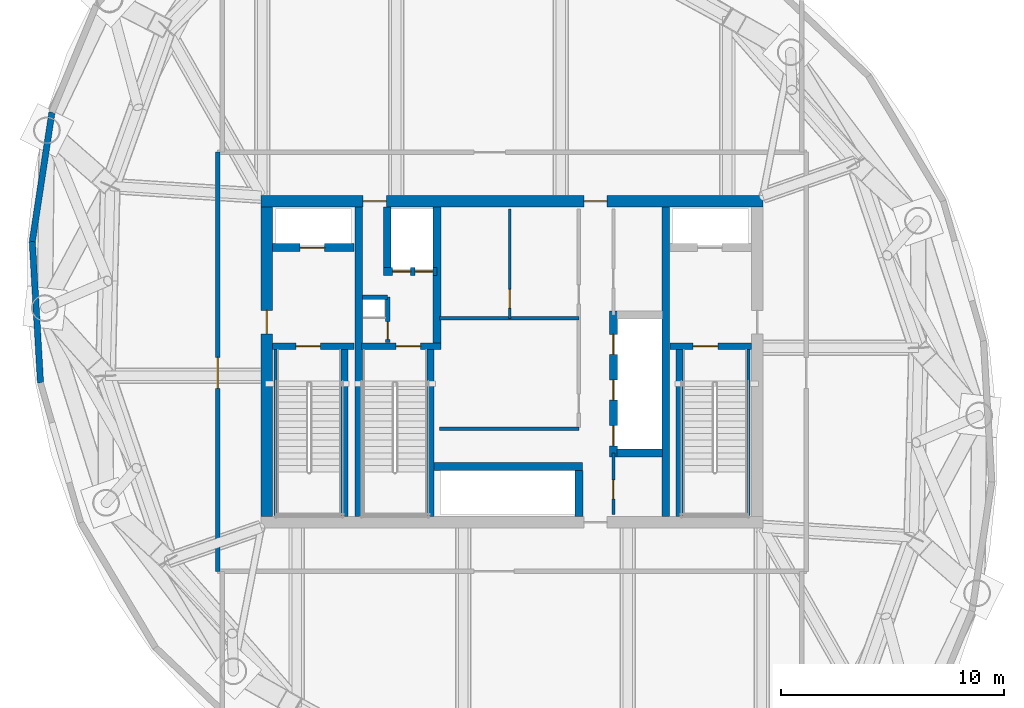
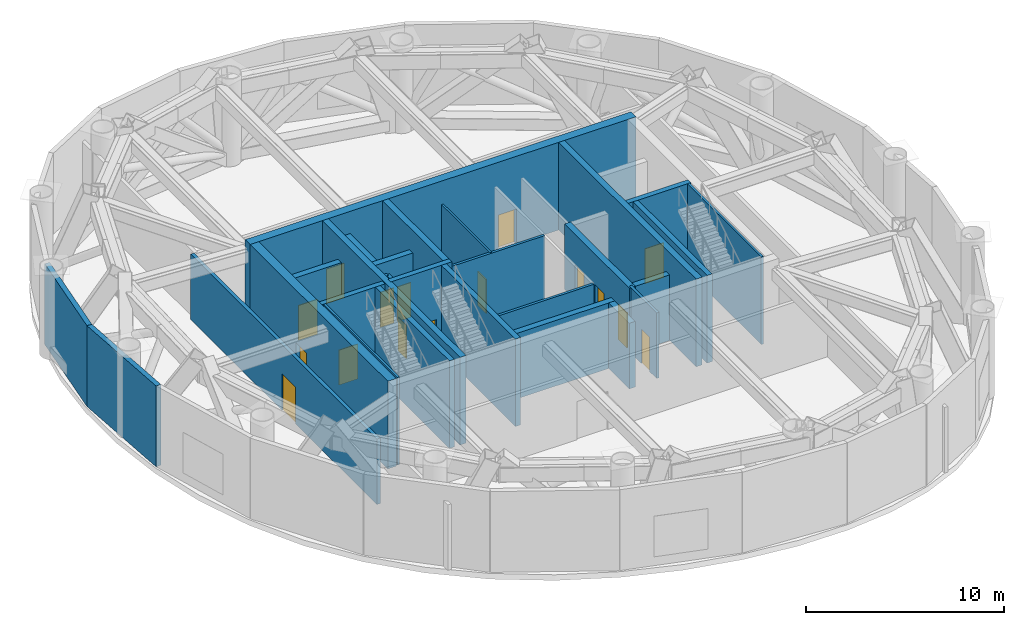
# One storey, part 5 of 9: 29 walls, 16 doors, 16 openings.
"""IFC4 building model written with IfcOpenShell, lengths in metres."""

from ifc_helpers import new_model, si_unit, direction, frame, frame_2d, origin, place, context, subcontext, project, spatial, rectangle, extrude, material, layer, layer_set, type_object, element, fill, save


model = new_model("IFC4")

# Units and contexts
model_context = context("Model", 3, precision=1e-05, world=origin(), true_north=direction((0.0, 1.0)))
body_context = subcontext(model_context, "Body", "Model", "MODEL_VIEW")
ifc_project = project(units=[si_unit("LENGTHUNIT", "METRE"), si_unit("AREAUNIT", "SQUARE_METRE"), si_unit("VOLUMEUNIT", "CUBIC_METRE"), si_unit("PLANEANGLEUNIT", "RADIAN"), si_unit("MASSUNIT", "GRAM", prefix="KILO")], contexts=[model_context])

# Site, building, storey
site_placement = place(None, origin())
site = spatial("IfcSite", under=ifc_project, at=site_placement, CompositionType="ELEMENT")
building_placement = place(site_placement, origin())
building = spatial("IfcBuilding", under=site, at=building_placement, Name="Bramvorn Convention Spire", CompositionType="ELEMENT")
storey_placement = place(building_placement, frame((0.0, 0.0, 236.64990234375)))
storey = spatial("IfcBuildingStorey", under=building, at=storey_placement, Name="L60", CompositionType="ELEMENT", Elevation=236.64990234375)

# Wall, openings, doors
ifc_material_1 = material(Name="Concrete C50/60", Category="concrete")
ifc_layer_1 = layer(ifc_material_1, 0.5)
ifc_layer_set_1 = layer_set([ifc_layer_1], Name="Concrete C50/60 - WL-CORE-500")
wall_type_1 = type_object("IfcWallType", Name="WL-CORE-500", PredefinedType="SHEAR", material=ifc_layer_set_1)
wall_1_placement = place(storey_placement, frame((26.75, 33.199951171875, 0.0), z_axis=(0.0, 0.0, 1.0), x_axis=(1.0, 0.0, 0.0)))
wall_1 = element("IfcWall", 1, at=wall_1_placement, inside=storey, type_object=wall_type_1, Name="L60 North RC core shear wall", PredefinedType="SHEAR", context=body_context, shape_type="SweptSolid", body=[
    extrude(rectangle(XDim=22.5, YDim=0.5, at=frame_2d((11.25, 0.0))), origin(), (0.0, 0.0, 1.0), 5.400146484375),
])
opening_1_placement = place(wall_1_placement, frame((4.570068359375, 0.0, 0.0)))
opening_1 = element("IfcOpeningElement", 2, at=opening_1_placement, cuts=wall_1, Name="Opening DL-105", PredefinedType="OPENING", context=body_context, shape_type="SweptSolid", body=[
    extrude(rectangle(XDim=1.050048828125, YDim=2.14990234375, at=frame_2d((0.52490234375, 1.074951171875))), frame((0.0, 0.260009765625, 0.0), z_axis=(0.0, -1.0, 0.0), x_axis=(1.0, 0.0, 0.0)), (0.0, 0.0, 1.0), 0.52001953125),
])
opening_2_placement = place(wall_1_placement, frame((14.469970703125, 0.0, 0.0)))
opening_2 = element("IfcOpeningElement", 3, at=opening_2_placement, cuts=wall_1, Name="Opening DL-105", PredefinedType="OPENING", context=body_context, shape_type="SweptSolid", body=[
    extrude(rectangle(XDim=1.050048828125, YDim=2.14990234375, at=frame_2d((0.52490234375, 1.074951171875))), frame((0.0, 0.260009765625, 0.0), z_axis=(0.0, -1.0, 0.0), x_axis=(1.0, 0.0, 0.0)), (0.0, 0.0, 1.0), 0.52001953125),
])
ifc_material_2 = material(Name="Smoke-Sealed Fire Lobby Timber-Core Door", Category="wood")
door_type_1 = type_object("IfcDoorType", Name="DR-LOBBY-1050", OperationType="NOTDEFINED", PredefinedType="DOOR", material=ifc_material_2)
door_1_placement = place(opening_1_placement, origin())
door_1 = element("IfcDoor", 4, at=door_1_placement, inside=storey, type_object=door_type_1, Name="L60 Service & Stair ST3 Lobby north corridor door", OperationType="SINGLE_SWING_LEFT", OverallHeight=2.14990234375, OverallWidth=1.050048828125, PredefinedType="DOOR", context=body_context, shape_type="SweptSolid", body=[
    extrude(rectangle(XDim=1.050048828125, YDim=2.14990234375, at=frame_2d((0.52490234375, 1.074951171875))), frame((0.0, 0.02490234375, 0.0), z_axis=(0.0, -1.0, 0.0), x_axis=(1.0, 0.0, 0.0)), (0.0, 0.0, 1.0), 0.050048828125),
])
fill(opening_1, door_1)
door_2_placement = place(opening_2_placement, origin())
door_2 = element("IfcDoor", 5, at=door_2_placement, inside=storey, type_object=door_type_1, Name="L60 North Lift Lobby fire door", OperationType="SINGLE_SWING_LEFT", OverallHeight=2.14990234375, OverallWidth=1.050048828125, PredefinedType="DOOR", context=body_context, shape_type="SweptSolid", body=[
    extrude(rectangle(XDim=1.050048828125, YDim=2.14990234375, at=frame_2d((0.52490234375, 1.074951171875))), frame((0.0, 0.02490234375, 0.0), z_axis=(0.0, -1.0, 0.0), x_axis=(1.0, 0.0, 0.0)), (0.0, 0.0, 1.0), 0.050048828125),
])
fill(opening_2, door_2)

# Wall, opening, door
wall_2_placement = place(storey_placement, frame((27.0, 19.050048828125, 0.0), z_axis=(0.0, 0.0, 1.0), x_axis=(0.0, 1.0, 0.0)))
wall_2 = element("IfcWall", 6, at=wall_2_placement, inside=storey, type_object=wall_type_1, Name="L60 West RC core shear wall", PredefinedType="SHEAR", context=body_context, shape_type="SweptSolid", body=[
    extrude(rectangle(XDim=13.89990234375, YDim=0.5, at=frame_2d((6.949951171875, 0.0))), origin(), (0.0, 0.0, 1.0), 5.400146484375),
])
opening_3_placement = place(wall_2_placement, frame((8.199951171875, 0.0, 0.0)))
opening_3 = element("IfcOpeningElement", 7, at=opening_3_placement, cuts=wall_2, Name="Opening DL-105", PredefinedType="OPENING", context=body_context, shape_type="SweptSolid", body=[
    extrude(rectangle(XDim=1.050048828125, YDim=2.14990234375, at=frame_2d((0.52490234375, 1.074951171875))), frame((0.0, 0.260009765625, 0.0), z_axis=(0.0, -1.0, 0.0), x_axis=(1.0, 0.0, 0.0)), (0.0, 0.0, 1.0), 0.52001953125),
])
door_3_placement = place(opening_3_placement, origin())
door_3 = element("IfcDoor", 8, at=door_3_placement, inside=storey, type_object=door_type_1, Name="L60 West Firefighting Lobby corridor door", OperationType="SINGLE_SWING_RIGHT", OverallHeight=2.14990234375, OverallWidth=1.050048828125, PredefinedType="DOOR", context=body_context, shape_type="SweptSolid", body=[
    extrude(rectangle(XDim=1.050048828125, YDim=2.14990234375, at=frame_2d((0.52490234375, 1.074951171875))), frame((0.0, 0.02490234375, 0.0), z_axis=(0.0, -1.0, 0.0), x_axis=(1.0, 0.0, 0.0)), (0.0, 0.0, 1.0), 0.050048828125),
])
fill(opening_3, door_3)

# Walls
ifc_layer_2 = layer(ifc_material_1, 0.35009765625)
ifc_layer_set_2 = layer_set([ifc_layer_2], Name="Concrete C50/60 - WL-CORE-INT-350")
wall_type_2 = type_object("IfcWallType", Name="WL-CORE-INT-350", PredefinedType="SHEAR", material=ifc_layer_set_2)
for number, where, z_axis, x_axis, name in (
    (9, (31.1298828125, 19.050048828125, 0.0), (0.0, 0.0, 1.0), (0.0, 1.0, 0.0), "L60 West internal core shear web"),
    (10, (44.89990234375, 19.050048828125, 0.0), (0.0, 0.0, 1.0), (0.0, 1.0, 0.0), "L60 East internal core shear web"),
):
    element("IfcWall", number, at=place(storey_placement, frame(where, z_axis=z_axis, x_axis=x_axis)), inside=storey, type_object=wall_type_2, Name=name, PredefinedType="SHEAR", context=body_context, shape_type="SweptSolid", body=[
        extrude(rectangle(XDim=13.89990234375, YDim=0.35009765625, at=frame_2d((6.949951171875, 0.0))), origin(), (0.0, 0.0, 1.0), 5.400146484375),
    ])

# Wall, opening, door
wall_3_placement = place(storey_placement, frame((27.25, 31.1201171875, 0.0), z_axis=(0.0, 0.0, 1.0), x_axis=(1.0, 0.0, 0.0)))
wall_3 = element("IfcWall", 11, at=wall_3_placement, inside=storey, type_object=wall_type_2, Name="L60 FE1 shaft front wall", PredefinedType="SHEAR", context=body_context, shape_type="SweptSolid", body=[
    extrude(rectangle(XDim=3.669921875, YDim=0.35009765625, at=frame_2d((1.8349609375, 0.0))), origin(), (0.0, 0.0, 1.0), 4.0400390625),
])
opening_4_placement = place(wall_3_placement, frame((1.25, 0.0, 0.0)))
opening_4 = element("IfcOpeningElement", 12, at=opening_4_placement, cuts=wall_3, Name="Opening LD-110", PredefinedType="OPENING", context=body_context, shape_type="SweptSolid", body=[
    extrude(rectangle(XDim=1.10009765625, YDim=2.14990234375, at=frame_2d((0.550048828125, 1.074951171875))), frame((0.0, 0.18505859375, 0.0), z_axis=(0.0, -1.0, 0.0), x_axis=(1.0, 0.0, 0.0)), (0.0, 0.0, 1.0), 0.3701171875),
])
ifc_material_3 = material(Name="Firefighting & Service Lift Sliding Landing Door", Category="steel")
door_type_2 = type_object("IfcDoorType", Name="DR-LIFT-LD-1100", OperationType="NOTDEFINED", PredefinedType="DOOR", material=ifc_material_3)
door_4_placement = place(opening_4_placement, origin())
door_4 = element("IfcDoor", 13, at=door_4_placement, inside=storey, type_object=door_type_2, Name="L60 Lift FE1 Sliding Landing Door", OperationType="SLIDING_TO_LEFT", OverallHeight=2.14990234375, OverallWidth=1.10009765625, PredefinedType="DOOR", context=body_context, shape_type="SweptSolid", body=[
    extrude(rectangle(XDim=1.10009765625, YDim=2.14990234375, at=frame_2d((0.550048828125, 1.074951171875))), frame((0.0, 0.02490234375, 0.0), z_axis=(0.0, -1.0, 0.0), x_axis=(1.0, 0.0, 0.0)), (0.0, 0.0, 1.0), 0.050048828125),
])
fill(opening_4, door_4)

# Wall
wall_4_placement = place(storey_placement, frame((34.639892578125, 26.68994140625, 0.0), z_axis=(0.0, 0.0, 1.0), x_axis=(0.0, 1.0, 0.0)))
element("IfcWall", 14, at=wall_4_placement, inside=storey, type_object=wall_type_2, Name="L60 SV east core shaft wall", PredefinedType="SHEAR", context=body_context, shape_type="SweptSolid", body=[
    extrude(rectangle(XDim=6.260009765625, YDim=0.35009765625, at=frame_2d((3.1298828125, 0.0))), origin(), (0.0, 0.0, 1.0), 5.400146484375),
])

# Wall, openings, doors
wall_5_placement = place(storey_placement, frame((32.22998046875, 30.050048828125, 0.0), z_axis=(0.0, 0.0, 1.0), x_axis=(1.0, 0.0, 0.0)))
wall_5 = element("IfcWall", 15, at=wall_5_placement, inside=storey, type_object=wall_type_2, Name="L60 SV1/SV2 shaft front wall", PredefinedType="SHEAR", context=body_context, shape_type="SweptSolid", body=[
    extrude(rectangle(XDim=2.409912109375, YDim=0.35009765625, at=frame_2d((1.205078125, 0.0))), origin(), (0.0, 0.0, 1.0), 4.0400390625),
])
opening_5_placement = place(wall_5_placement, frame((0.419921875, 0.0, 0.0)))
opening_5 = element("IfcOpeningElement", 16, at=opening_5_placement, cuts=wall_5, Name="Opening LD-080", PredefinedType="OPENING", context=body_context, shape_type="SweptSolid", body=[
    extrude(rectangle(XDim=0.800048828125, YDim=2.14990234375, at=frame_2d((0.39990234375, 1.074951171875))), frame((0.0, 0.18505859375, 0.0), z_axis=(0.0, -1.0, 0.0), x_axis=(1.0, 0.0, 0.0)), (0.0, 0.0, 1.0), 0.3701171875),
])
opening_6_placement = place(wall_5_placement, frame((1.419921875, 0.0, 0.0)))
opening_6 = element("IfcOpeningElement", 17, at=opening_6_placement, cuts=wall_5, Name="Opening LD-080", PredefinedType="OPENING", context=body_context, shape_type="SweptSolid", body=[
    extrude(rectangle(XDim=0.800048828125, YDim=2.14990234375, at=frame_2d((0.39990234375, 1.074951171875))), frame((0.0, 0.18505859375, 0.0), z_axis=(0.0, -1.0, 0.0), x_axis=(1.0, 0.0, 0.0)), (0.0, 0.0, 1.0), 0.3701171875),
])
ifc_material_4 = material(Name="Service Lift Bi-Parting Landing Door", Category="steel")
door_type_3 = type_object("IfcDoorType", Name="DR-LIFT-LD-800", OperationType="NOTDEFINED", PredefinedType="DOOR", material=ifc_material_4)
door_5_placement = place(opening_5_placement, origin())
door_5 = element("IfcDoor", 18, at=door_5_placement, inside=storey, type_object=door_type_3, Name="L60 Lift SV1 Sliding Landing Door", OperationType="SLIDING_TO_LEFT", OverallHeight=2.14990234375, OverallWidth=0.800048828125, PredefinedType="DOOR", context=body_context, shape_type="SweptSolid", body=[
    extrude(rectangle(XDim=0.800048828125, YDim=2.14990234375, at=frame_2d((0.39990234375, 1.074951171875))), frame((0.0, 0.02490234375, 0.0), z_axis=(0.0, -1.0, 0.0), x_axis=(1.0, 0.0, 0.0)), (0.0, 0.0, 1.0), 0.050048828125),
])
fill(opening_5, door_5)
door_6_placement = place(opening_6_placement, origin())
door_6 = element("IfcDoor", 19, at=door_6_placement, inside=storey, type_object=door_type_3, Name="L60 Lift SV2 Sliding Landing Door", OperationType="SLIDING_TO_LEFT", OverallHeight=2.14990234375, OverallWidth=0.800048828125, PredefinedType="DOOR", context=body_context, shape_type="SweptSolid", body=[
    extrude(rectangle(XDim=0.800048828125, YDim=2.14990234375, at=frame_2d((0.39990234375, 1.074951171875))), frame((0.0, 0.02490234375, 0.0), z_axis=(0.0, -1.0, 0.0), x_axis=(1.0, 0.0, 0.0)), (0.0, 0.0, 1.0), 0.050048828125),
])
fill(opening_6, door_6)

# Wall
wall_6_placement = place(storey_placement, frame((32.39990234375, 30.219970703125, 0.0), z_axis=(0.0, 0.0, 1.0), x_axis=(0.0, 1.0, 0.0)))
element("IfcWall", 20, at=wall_6_placement, inside=storey, type_object=wall_type_2, Name="L60 SV1 west hoistway wall", PredefinedType="SHEAR", context=body_context, shape_type="SweptSolid", body=[
    extrude(rectangle(XDim=2.72998046875, YDim=0.35009765625, at=frame_2d((1.364990234375, 0.0))), origin(), (0.0, 0.0, 1.0), 4.0400390625),
])

# Wall, openings, doors
wall_7_placement = place(storey_placement, frame((42.550048828125, 21.72998046875, 0.0), z_axis=(0.0, 0.0, 1.0), x_axis=(0.0, 1.0, 0.0)))
wall_7 = element("IfcWall", 21, at=wall_7_placement, inside=storey, type_object=wall_type_2, Name="L60 High-rise lift bank west wall", PredefinedType="SHEAR", context=body_context, shape_type="SweptSolid", body=[
    extrude(rectangle(XDim=6.5400390625, YDim=0.35009765625, at=frame_2d((3.27001953125, 0.0))), origin(), (0.0, 0.0, 1.0), 4.0400390625),
])
opening_7_placement = place(wall_7_placement, frame((0.5, 0.0, 0.0)))
opening_7 = element("IfcOpeningElement", 22, at=opening_7_placement, cuts=wall_7, Name="Opening LD-090", PredefinedType="OPENING", context=body_context, shape_type="SweptSolid", body=[
    extrude(rectangle(XDim=0.89990234375, YDim=2.14990234375, at=frame_2d((0.449951171875, 1.074951171875))), frame((0.0, 0.18505859375, 0.0), z_axis=(0.0, -1.0, 0.0), x_axis=(1.0, 0.0, 0.0)), (0.0, 0.0, 1.0), 0.3701171875),
])
opening_8_placement = place(wall_7_placement, frame((2.550048828125, 0.0, 0.0)))
opening_8 = element("IfcOpeningElement", 23, at=opening_8_placement, cuts=wall_7, Name="Opening LD-090", PredefinedType="OPENING", context=body_context, shape_type="SweptSolid", body=[
    extrude(rectangle(XDim=0.89990234375, YDim=2.14990234375, at=frame_2d((0.449951171875, 1.074951171875))), frame((0.0, 0.18505859375, 0.0), z_axis=(0.0, -1.0, 0.0), x_axis=(1.0, 0.0, 0.0)), (0.0, 0.0, 1.0), 0.3701171875),
])
opening_9_placement = place(wall_7_placement, frame((4.60009765625, 0.0, 0.0)))
opening_9 = element("IfcOpeningElement", 24, at=opening_9_placement, cuts=wall_7, Name="Opening LD-090", PredefinedType="OPENING", context=body_context, shape_type="SweptSolid", body=[
    extrude(rectangle(XDim=0.89990234375, YDim=2.14990234375, at=frame_2d((0.449951171875, 1.074951171875))), frame((0.0, 0.18505859375, 0.0), z_axis=(0.0, -1.0, 0.0), x_axis=(1.0, 0.0, 0.0)), (0.0, 0.0, 1.0), 0.3701171875),
])
ifc_material_5 = material(Name="Bi-Parting Fire-Rated Lift Landing Door", Category="steel")
door_type_4 = type_object("IfcDoorType", Name="DR-LIFT-LD-900", OperationType="NOTDEFINED", PredefinedType="DOOR", material=ifc_material_5)
door_7_placement = place(opening_7_placement, origin())
door_7 = element("IfcDoor", 25, at=door_7_placement, inside=storey, type_object=door_type_4, Name="L60 Lift PH1 Sliding Landing Door", OperationType="SLIDING_TO_LEFT", OverallHeight=2.14990234375, OverallWidth=0.89990234375, PredefinedType="DOOR", context=body_context, shape_type="SweptSolid", body=[
    extrude(rectangle(XDim=0.89990234375, YDim=2.14990234375, at=frame_2d((0.449951171875, 1.074951171875))), frame((0.0, 0.02490234375, 0.0), z_axis=(0.0, -1.0, 0.0), x_axis=(1.0, 0.0, 0.0)), (0.0, 0.0, 1.0), 0.050048828125),
])
fill(opening_7, door_7)
door_8_placement = place(opening_8_placement, origin())
door_8 = element("IfcDoor", 26, at=door_8_placement, inside=storey, type_object=door_type_4, Name="L60 Lift PH2 Sliding Landing Door", OperationType="SLIDING_TO_LEFT", OverallHeight=2.14990234375, OverallWidth=0.89990234375, PredefinedType="DOOR", context=body_context, shape_type="SweptSolid", body=[
    extrude(rectangle(XDim=0.89990234375, YDim=2.14990234375, at=frame_2d((0.449951171875, 1.074951171875))), frame((0.0, 0.02490234375, 0.0), z_axis=(0.0, -1.0, 0.0), x_axis=(1.0, 0.0, 0.0)), (0.0, 0.0, 1.0), 0.050048828125),
])
fill(opening_8, door_8)
door_9_placement = place(opening_9_placement, origin())
door_9 = element("IfcDoor", 27, at=door_9_placement, inside=storey, type_object=door_type_4, Name="L60 Lift PH3 Sliding Landing Door", OperationType="SLIDING_TO_LEFT", OverallHeight=2.14990234375, OverallWidth=0.89990234375, PredefinedType="DOOR", context=body_context, shape_type="SweptSolid", body=[
    extrude(rectangle(XDim=0.89990234375, YDim=2.14990234375, at=frame_2d((0.449951171875, 1.074951171875))), frame((0.0, 0.02490234375, 0.0), z_axis=(0.0, -1.0, 0.0), x_axis=(1.0, 0.0, 0.0)), (0.0, 0.0, 1.0), 0.050048828125),
])
fill(opening_9, door_9)

# Walls
wall_8_placement = place(storey_placement, frame((42.719970703125, 21.89990234375, 0.0), z_axis=(0.0, 0.0, 1.0), x_axis=(1.0, 0.0, 0.0)))
element("IfcWall", 28, at=wall_8_placement, inside=storey, type_object=wall_type_2, Name="L60 High-rise lift bank south wall", PredefinedType="SHEAR", context=body_context, shape_type="SweptSolid", body=[
    extrude(rectangle(XDim=2.030029296875, YDim=0.35009765625, at=frame_2d((1.01513671875, 0.0))), origin(), (0.0, 0.0, 1.0), 4.0400390625),
])
wall_9_placement = place(storey_placement, frame((34.489990234375, 21.300048828125, 0.0), z_axis=(0.0, 0.0, 1.0), x_axis=(1.0, 0.0, 0.0)))
element("IfcWall", 29, at=wall_9_placement, inside=storey, type_object=wall_type_2, Name="L60 Mid-rise bank north landing wall", PredefinedType="SHEAR", context=body_context, shape_type="SweptSolid", body=[
    extrude(rectangle(XDim=6.679931640625, YDim=0.35009765625, at=frame_2d((3.33984375, 0.0))), origin(), (0.0, 0.0, 1.0), 4.0400390625),
])
wall_10_placement = place(storey_placement, frame((41.0, 19.050048828125, 0.0), z_axis=(0.0, 0.0, 1.0), x_axis=(0.0, 1.0, 0.0)))
element("IfcWall", 30, at=wall_10_placement, inside=storey, type_object=wall_type_2, Name="L60 Mid-rise bank east cheek wall", PredefinedType="SHEAR", context=body_context, shape_type="SweptSolid", body=[
    extrude(rectangle(XDim=2.079833984375, YDim=0.35009765625, at=frame_2d((1.0400390625, 0.0))), origin(), (0.0, 0.0, 1.0), 4.0400390625),
])
ifc_material_6 = material(Name="Precast Concrete C40/50 with Bronze Terracotta Rainscreen", Category="masonry")
ifc_layer_3 = layer(ifc_material_6, 0.300048828125)
ifc_layer_set_3 = layer_set([ifc_layer_3], Name="Precast Concrete C40/50 with Bronze Terracotta Rainscreen - WL-EXT-BRONZE-300")
wall_type_3 = type_object("IfcWallType", Name="WL-EXT-BRONZE-300", PredefinedType="SOLIDWALL", material=ifc_layer_set_3)
wall_11_placement = place(storey_placement, frame((16.48193359375, 31.393798828125, 0.0), z_axis=(0.0, 0.0, 1.0), x_axis=(0.150526090897, 0.988606036781, 0.0)))
element("IfcWall", 31, at=wall_11_placement, inside=storey, type_object=wall_type_3, Name="L60 expressed bronze Gothic lancet pier wall 15", PredefinedType="SOLIDWALL", context=body_context, shape_type="SweptSolid", body=[
    extrude(rectangle(XDim=5.85986328125, YDim=0.280029296875, at=frame_2d((2.929931640625, 0.0))), origin(), (0.0, 0.0, 1.0), 4.97998046875),
])
wall_12_placement = place(storey_placement, frame((16.849609375, 25.059326171875, 0.0), z_axis=(0.0, 0.0, 1.0), x_axis=(-0.057946099127, 0.998319713116, 0.0)))
element("IfcWall", 32, at=wall_12_placement, inside=storey, type_object=wall_type_3, Name="L60 expressed bronze Gothic lancet pier wall 16", PredefinedType="SOLIDWALL", context=body_context, shape_type="SweptSolid", body=[
    extrude(rectangle(XDim=6.34521484375, YDim=0.280029296875, at=frame_2d((3.172607421875, 0.0))), origin(), (0.0, 0.0, 1.0), 4.97998046875),
])

# Wall, opening, door
ifc_material_7 = material(Name="Lightweight En-Suite & Wet-Wall Partition", Category="gypsum")
ifc_layer_4 = layer(ifc_material_7, 0.110107421875)
ifc_layer_set_4 = layer_set([ifc_layer_4], Name="Lightweight En-Suite & Wet-Wall Partition - WL-PART-110")
wall_type_4 = type_object("IfcWallType", Name="WL-PART-110", PredefinedType="PARTITIONING", material=ifc_layer_set_4)
wall_13_placement = place(storey_placement, frame((37.89990234375, 27.949951171875, 0.0), z_axis=(0.0, 0.0, 1.0), x_axis=(0.0, 1.0, 0.0)))
wall_13 = element("IfcWall", 33, at=wall_13_placement, inside=storey, type_object=wall_type_4, Name="L60 Core restroom subwall", PredefinedType="PARTITIONING", context=body_context, shape_type="SweptSolid", body=[
    extrude(rectangle(XDim=4.900146484375, YDim=0.110107421875, at=frame_2d((2.4501953125, 0.0))), origin(), (0.0, 0.0, 1.0), 4.0400390625),
])
opening_10_placement = place(wall_13_placement, frame((0.449951171875, 0.0, 0.0)))
opening_10 = element("IfcOpeningElement", 34, at=opening_10_placement, cuts=wall_13, Name="Opening DC-085", PredefinedType="OPENING", context=body_context, shape_type="SweptSolid", body=[
    extrude(rectangle(XDim=0.85009765625, YDim=2.10009765625, at=frame_2d((0.425048828125, 1.050048828125))), frame((0.0, 0.06494140625, 0.0), z_axis=(0.0, -1.0, 0.0), x_axis=(1.0, 0.0, 0.0)), (0.0, 0.0, 1.0), 0.130126953125),
])
ifc_material_8 = material(Name="Fire-Rated Core Washroom & IDF Door", Category="wood")
door_type_5 = type_object("IfcDoorType", Name="DR-CORE-850", OperationType="NOTDEFINED", PredefinedType="DOOR", material=ifc_material_8)
door_10_placement = place(opening_10_placement, origin())
door_10 = element("IfcDoor", 35, at=door_10_placement, inside=storey, type_object=door_type_5, Name="L60 Core telecom store door", OperationType="SINGLE_SWING_LEFT", OverallHeight=2.10009765625, OverallWidth=0.85009765625, PredefinedType="DOOR", context=body_context, shape_type="SweptSolid", body=[
    extrude(rectangle(XDim=0.85009765625, YDim=2.10009765625, at=frame_2d((0.425048828125, 1.050048828125))), frame((0.0, 0.02490234375, 0.0), z_axis=(0.0, -1.0, 0.0), x_axis=(1.0, 0.0, 0.0)), (0.0, 0.0, 1.0), 0.050048828125),
])
fill(opening_10, door_10)

# Walls
ifc_material_9 = material(Name="Acoustic Metal-Stud Tenant/Corridor Partition", Category="gypsum")
ifc_layer_5 = layer(ifc_material_9, 0.14990234375)
ifc_layer_set_5 = layer_set([ifc_layer_5], Name="Acoustic Metal-Stud Tenant/Corridor Partition - WL-PART-150")
wall_type_5 = type_object("IfcWallType", Name="WL-PART-150", PredefinedType="PARTITIONING", material=ifc_layer_set_5)
for number, where, z_axis, x_axis, name in (
    (36, (34.75, 23.0, 0.0), (0.0, 0.0, 1.0), (1.0, 0.0, 0.0), "L60 Mid-rise lift vestibule north wall"),
    (37, (34.75, 27.949951171875, 0.0), (0.0, 0.0, 1.0), (1.0, 0.0, 0.0), "L60 Core room divider"),
):
    element("IfcWall", number, at=place(storey_placement, frame(where, z_axis=z_axis, x_axis=x_axis)), inside=storey, type_object=wall_type_5, Name=name, PredefinedType="PARTITIONING", context=body_context, shape_type="SweptSolid", body=[
        extrude(rectangle(XDim=6.25, YDim=0.14990234375, at=frame_2d((3.125, 0.0))), origin(), (0.0, 0.0, 1.0), 4.0400390625),
    ])

# Wall, opening, door
wall_14_placement = place(storey_placement, frame((42.550048828125, 19.14990234375, 0.0), z_axis=(0.0, 0.0, 1.0), x_axis=(0.0, 1.0, 0.0)))
wall_14 = element("IfcWall", 38, at=wall_14_placement, inside=storey, type_object=wall_type_5, Name="L60 Core SE riser wall", PredefinedType="PARTITIONING", context=body_context, shape_type="SweptSolid", body=[
    extrude(rectangle(XDim=2.75, YDim=0.14990234375, at=frame_2d((1.375, 0.0))), origin(), (0.0, 0.0, 1.0), 4.0400390625),
])
opening_11_placement = place(wall_14_placement, frame((0.699951171875, 0.0, 0.0)))
opening_11 = element("IfcOpeningElement", 39, at=opening_11_placement, cuts=wall_14, Name="Opening DC-085", PredefinedType="OPENING", context=body_context, shape_type="SweptSolid", body=[
    extrude(rectangle(XDim=0.85009765625, YDim=2.10009765625, at=frame_2d((0.425048828125, 1.050048828125))), frame((0.0, 0.0849609375, 0.0), z_axis=(0.0, -1.0, 0.0), x_axis=(1.0, 0.0, 0.0)), (0.0, 0.0, 1.0), 0.169921875),
])
door_11_placement = place(opening_11_placement, origin())
door_11 = element("IfcDoor", 40, at=door_11_placement, inside=storey, type_object=door_type_5, Name="L60 Core SE riser door", OperationType="SINGLE_SWING_LEFT", OverallHeight=2.10009765625, OverallWidth=0.85009765625, PredefinedType="DOOR", context=body_context, shape_type="SweptSolid", body=[
    extrude(rectangle(XDim=0.85009765625, YDim=2.10009765625, at=frame_2d((0.425048828125, 1.050048828125))), frame((0.0, 0.02490234375, 0.0), z_axis=(0.0, -1.0, 0.0), x_axis=(1.0, 0.0, 0.0)), (0.0, 0.0, 1.0), 0.050048828125),
])
fill(opening_11, door_11)

ifc_material_10 = material(Name="Gypsum Shaftwall & Rockwool Core Partition", Category="gypsum")
ifc_layer_6 = layer(ifc_material_10, 0.199951171875)
ifc_layer_set_6 = layer_set([ifc_layer_6], Name="Gypsum Shaftwall & Rockwool Core Partition - WL-PART-200-FR")
wall_type_6 = type_object("IfcWallType", Name="WL-PART-200-FR", PredefinedType="PARTITIONING", material=ifc_layer_set_6)
wall_15_placement = place(storey_placement, frame((32.419921875, 26.860107421875, 0.0), z_axis=(0.0, 0.0, 1.0), x_axis=(0.0, 1.0, 0.0)))
wall_15 = element("IfcWall", 41, at=wall_15_placement, inside=storey, type_object=wall_type_6, Name="L60 Telecom riser east wall", PredefinedType="PARTITIONING", context=body_context, shape_type="SweptSolid", body=[
    extrude(rectangle(XDim=2.039794921875, YDim=0.199951171875, at=frame_2d((1.02001953125, 0.0))), origin(), (0.0, 0.0, 1.0), 4.0400390625),
])
opening_12_placement = place(wall_15_placement, frame((0.139892578125, 0.0, 0.0)))
opening_12 = element("IfcOpeningElement", 42, at=opening_12_placement, cuts=wall_15, Name="Opening DR-080", PredefinedType="OPENING", context=body_context, shape_type="SweptSolid", body=[
    extrude(rectangle(XDim=0.800048828125, YDim=2.050048828125, at=frame_2d((0.39990234375, 1.02490234375))), frame((0.0, 0.10986328125, 0.0), z_axis=(0.0, -1.0, 0.0), x_axis=(1.0, 0.0, 0.0)), (0.0, 0.0, 1.0), 0.219970703125),
])
ifc_material_11 = material(Name="Flush Steel Riser Access Door", Category="steel")
door_type_6 = type_object("IfcDoorType", Name="DR-RISER-800", OperationType="NOTDEFINED", PredefinedType="DOOR", material=ifc_material_11)
door_12_placement = place(opening_12_placement, origin())
door_12 = element("IfcDoor", 43, at=door_12_placement, inside=storey, type_object=door_type_6, Name="L60 Telecom riser access door", OperationType="SINGLE_SWING_RIGHT", OverallHeight=2.050048828125, OverallWidth=0.800048828125, PredefinedType="DOOR", context=body_context, shape_type="SweptSolid", body=[
    extrude(rectangle(XDim=0.800048828125, YDim=2.050048828125, at=frame_2d((0.39990234375, 1.02490234375))), frame((0.0, 0.02490234375, 0.0), z_axis=(0.0, -1.0, 0.0), x_axis=(1.0, 0.0, 0.0)), (0.0, 0.0, 1.0), 0.050048828125),
])
fill(opening_12, door_12)

# Wall
wall_16_placement = place(storey_placement, frame((31.300048828125, 28.89990234375, 0.0), z_axis=(0.0, 0.0, 1.0), x_axis=(1.0, 0.0, 0.0)))
element("IfcWall", 44, at=wall_16_placement, inside=storey, type_object=wall_type_6, Name="L60 Telecom riser north wall", PredefinedType="PARTITIONING", context=body_context, shape_type="SweptSolid", body=[
    extrude(rectangle(XDim=1.119873046875, YDim=0.199951171875, at=frame_2d((0.56005859375, 0.0))), origin(), (0.0, 0.0, 1.0), 4.0400390625),
])

# Wall, opening, door
wall_17_placement = place(storey_placement, frame((24.800048828125, 16.60009765625, 0.0), z_axis=(0.0, 0.0, 1.0), x_axis=(0.0, 1.0, 0.0)))
wall_17 = element("IfcWall", 45, at=wall_17_placement, inside=storey, type_object=wall_type_6, Name="L60 Plant corridor west wall", PredefinedType="PARTITIONING", context=body_context, shape_type="SweptSolid", body=[
    extrude(rectangle(XDim=18.7998046875, YDim=0.199951171875, at=frame_2d((9.39990234375, 0.0))), origin(), (0.0, 0.0, 1.0), 4.0400390625),
])
opening_13_placement = place(wall_17_placement, frame((8.199951171875, 0.0, 0.0)))
opening_13 = element("IfcOpeningElement", 46, at=opening_13_placement, cuts=wall_17, Name="Opening DP-140", PredefinedType="OPENING", context=body_context, shape_type="SweptSolid", body=[
    extrude(rectangle(XDim=1.39990234375, YDim=2.25, at=frame_2d((0.699951171875, 1.125))), frame((0.0, 0.10986328125, 0.0), z_axis=(0.0, -1.0, 0.0), x_axis=(1.0, 0.0, 0.0)), (0.0, 0.0, 1.0), 0.219970703125),
])
ifc_material_12 = material(Name="Heavy-Duty Acoustic Louvre Plant Room Door", Category="steel")
door_type_7 = type_object("IfcDoorType", Name="DR-PLANT-1400", OperationType="NOTDEFINED", PredefinedType="DOOR", material=ifc_material_12)
door_13_placement = place(opening_13_placement, origin())
door_13 = element("IfcDoor", 47, at=door_13_placement, inside=storey, type_object=door_type_7, Name="L60 Hydronic Booster & Heat-Exchanger Plant door", OperationType="DOUBLE_DOOR_SINGLE_SWING", OverallHeight=2.25, OverallWidth=1.39990234375, PredefinedType="DOOR", context=body_context, shape_type="SweptSolid", body=[
    extrude(rectangle(XDim=1.39990234375, YDim=2.25, at=frame_2d((0.699951171875, 1.125))), frame((0.0, 0.02490234375, 0.0), z_axis=(0.0, -1.0, 0.0), x_axis=(1.0, 0.0, 0.0)), (0.0, 0.0, 1.0), 0.050048828125),
])
fill(opening_13, door_13)

ifc_layer_7 = layer(ifc_material_1, 0.300048828125)
ifc_layer_set_7 = layer_set([ifc_layer_7], Name="Concrete C50/60 - WL-POD-STAIR-300")
wall_type_7 = type_object("IfcWallType", Name="WL-POD-STAIR-300", PredefinedType="SHEAR", material=ifc_layer_set_7)
wall_18_placement = place(storey_placement, frame((27.25, 26.68994140625, 0.0), z_axis=(0.0, 0.0, 1.0), x_axis=(1.0, 0.0, 0.0)))
wall_18 = element("IfcWall", 48, at=wall_18_placement, inside=storey, type_object=wall_type_7, Name="L60 ST1 north fire wall", PredefinedType="SHEAR", context=body_context, shape_type="SweptSolid", body=[
    extrude(rectangle(XDim=3.669921875, YDim=0.300048828125, at=frame_2d((1.8349609375, 0.0))), origin(), (0.0, 0.0, 1.0), 5.400146484375),
])
opening_14_placement = place(wall_18_placement, frame((1.050048828125, 0.0, 0.0)))
opening_14 = element("IfcOpeningElement", 49, at=opening_14_placement, cuts=wall_18, Name="Opening DS-110", PredefinedType="OPENING", context=body_context, shape_type="SweptSolid", body=[
    extrude(rectangle(XDim=1.10009765625, YDim=2.14990234375, at=frame_2d((0.550048828125, 1.074951171875))), frame((0.0, 0.159912109375, 0.0), z_axis=(0.0, -1.0, 0.0), x_axis=(1.0, 0.0, 0.0)), (0.0, 0.0, 1.0), 0.320068359375),
])
ifc_material_13 = material(Name="Fire-Rated Hollow Steel Stairwell Door", Category="steel")
door_type_8 = type_object("IfcDoorType", Name="DR-STAIR-1100", OperationType="NOTDEFINED", PredefinedType="DOOR", material=ifc_material_13)
door_14_placement = place(opening_14_placement, origin())
door_14 = element("IfcDoor", 50, at=door_14_placement, inside=storey, type_object=door_type_8, Name="L60 Stair ST1 fire door", OperationType="SINGLE_SWING_LEFT", OverallHeight=2.14990234375, OverallWidth=1.10009765625, PredefinedType="DOOR", context=body_context, shape_type="SweptSolid", body=[
    extrude(rectangle(XDim=1.10009765625, YDim=2.14990234375, at=frame_2d((0.550048828125, 1.074951171875))), frame((0.0, 0.02490234375, 0.0), z_axis=(0.0, -1.0, 0.0), x_axis=(1.0, 0.0, 0.0)), (0.0, 0.0, 1.0), 0.050048828125),
])
fill(opening_14, door_14)

# Wall
wall_19_placement = place(storey_placement, frame((30.489990234375, 19.050048828125, 0.0), z_axis=(0.0, 0.0, 1.0), x_axis=(0.0, 1.0, 0.0)))
element("IfcWall", 51, at=wall_19_placement, inside=storey, type_object=wall_type_7, Name="L60 ST1 east bearing wall", PredefinedType="SHEAR", context=body_context, shape_type="SweptSolid", body=[
    extrude(rectangle(XDim=7.5, YDim=0.300048828125, at=frame_2d((3.75, 0.0))), origin(), (0.0, 0.0, 1.0), 5.400146484375),
])

# Wall, opening, door
wall_20_placement = place(storey_placement, frame((45.080078125, 26.68994140625, 0.0), z_axis=(0.0, 0.0, 1.0), x_axis=(1.0, 0.0, 0.0)))
wall_20 = element("IfcWall", 52, at=wall_20_placement, inside=storey, type_object=wall_type_7, Name="L60 ST2 north fire wall", PredefinedType="SHEAR", context=body_context, shape_type="SweptSolid", body=[
    extrude(rectangle(XDim=3.669921875, YDim=0.300048828125, at=frame_2d((1.8349609375, 0.0))), origin(), (0.0, 0.0, 1.0), 5.400146484375),
])
opening_15_placement = place(wall_20_placement, frame((1.050048828125, 0.0, 0.0)))
opening_15 = element("IfcOpeningElement", 53, at=opening_15_placement, cuts=wall_20, Name="Opening DS-110", PredefinedType="OPENING", context=body_context, shape_type="SweptSolid", body=[
    extrude(rectangle(XDim=1.10009765625, YDim=2.14990234375, at=frame_2d((0.550048828125, 1.074951171875))), frame((0.0, 0.159912109375, 0.0), z_axis=(0.0, -1.0, 0.0), x_axis=(1.0, 0.0, 0.0)), (0.0, 0.0, 1.0), 0.320068359375),
])
door_15_placement = place(opening_15_placement, origin())
door_15 = element("IfcDoor", 54, at=door_15_placement, inside=storey, type_object=door_type_8, Name="L60 Stair ST2 fire door", OperationType="SINGLE_SWING_RIGHT", OverallHeight=2.14990234375, OverallWidth=1.10009765625, PredefinedType="DOOR", context=body_context, shape_type="SweptSolid", body=[
    extrude(rectangle(XDim=1.10009765625, YDim=2.14990234375, at=frame_2d((0.550048828125, 1.074951171875))), frame((0.0, 0.02490234375, 0.0), z_axis=(0.0, -1.0, 0.0), x_axis=(1.0, 0.0, 0.0)), (0.0, 0.0, 1.0), 0.050048828125),
])
fill(opening_15, door_15)

# Walls
for number, where, z_axis, x_axis, name in (
    (55, (45.510009765625, 19.050048828125, 0.0), (0.0, 0.0, 1.0), (0.0, 1.0, 0.0), "L60 ST2 west bearing wall"),
    (56, (34.340087890625, 19.050048828125, 0.0), (0.0, 0.0, 1.0), (0.0, 1.0, 0.0), "L60 ST3 east bearing wall"),
):
    element("IfcWall", number, at=place(storey_placement, frame(where, z_axis=z_axis, x_axis=x_axis)), inside=storey, type_object=wall_type_7, Name=name, PredefinedType="SHEAR", context=body_context, shape_type="SweptSolid", body=[
        extrude(rectangle(XDim=7.5, YDim=0.300048828125, at=frame_2d((3.75, 0.0))), origin(), (0.0, 0.0, 1.0), 5.400146484375),
    ])

# Wall, opening, door
wall_21_placement = place(storey_placement, frame((31.25, 26.68994140625, 0.0), z_axis=(0.0, 0.0, 1.0), x_axis=(1.0, 0.0, 0.0)))
wall_21 = element("IfcWall", 57, at=wall_21_placement, inside=storey, type_object=wall_type_7, Name="L60 ST3 north lobby wall", PredefinedType="SHEAR", context=body_context, shape_type="SweptSolid", body=[
    extrude(rectangle(XDim=3.56005859375, YDim=0.300048828125, at=frame_2d((1.780029296875, 0.0))), origin(), (0.0, 0.0, 1.0), 5.400146484375),
])
opening_16_placement = place(wall_21_placement, frame((1.550048828125, 0.0, 0.0)))
opening_16 = element("IfcOpeningElement", 58, at=opening_16_placement, cuts=wall_21, Name="Opening DS-110", PredefinedType="OPENING", context=body_context, shape_type="SweptSolid", body=[
    extrude(rectangle(XDim=1.10009765625, YDim=2.14990234375, at=frame_2d((0.550048828125, 1.074951171875))), frame((0.0, 0.159912109375, 0.0), z_axis=(0.0, -1.0, 0.0), x_axis=(1.0, 0.0, 0.0)), (0.0, 0.0, 1.0), 0.320068359375),
])
door_16_placement = place(opening_16_placement, origin())
door_16 = element("IfcDoor", 59, at=door_16_placement, inside=storey, type_object=door_type_8, Name="L60 Stair ST3 fire door", OperationType="SINGLE_SWING_LEFT", OverallHeight=2.14990234375, OverallWidth=1.10009765625, PredefinedType="DOOR", context=body_context, shape_type="SweptSolid", body=[
    extrude(rectangle(XDim=1.10009765625, YDim=2.14990234375, at=frame_2d((0.550048828125, 1.074951171875))), frame((0.0, 0.02490234375, 0.0), z_axis=(0.0, -1.0, 0.0), x_axis=(1.0, 0.0, 0.0)), (0.0, 0.0, 1.0), 0.050048828125),
])
fill(opening_16, door_16)

# Walls
ifc_layer_8 = layer(ifc_material_1, 0.1201171875)
ifc_layer_set_8 = layer_set([ifc_layer_8], Name="Concrete C50/60 - WL-STAIR-RC-120")
wall_type_8 = type_object("IfcWallType", Name="WL-STAIR-RC-120", PredefinedType="SHEAR", material=ifc_layer_set_8)
for number, where, z_axis, x_axis, name in (
    (60, (27.39501953125, 19.10009765625, 0.0), (0.0, 0.0, 1.0), (0.0, 1.0, 0.0), "L60 ST1 west bearing shear wall"),
    (61, (48.60498046875, 19.10009765625, 0.0), (0.0, 0.0, 1.0), (0.0, 1.0, 0.0), "L60 ST2 east bearing shear wall"),
):
    element("IfcWall", number, at=place(storey_placement, frame(where, z_axis=z_axis, x_axis=x_axis)), inside=storey, type_object=wall_type_8, Name=name, PredefinedType="SHEAR", context=body_context, shape_type="SweptSolid", body=[
        extrude(rectangle(XDim=7.449951171875, YDim=0.1201171875, at=frame_2d((3.72509765625, 0.0))), origin(), (0.0, 0.0, 1.0), 5.400146484375),
    ])

save(model, "model.ifc")
